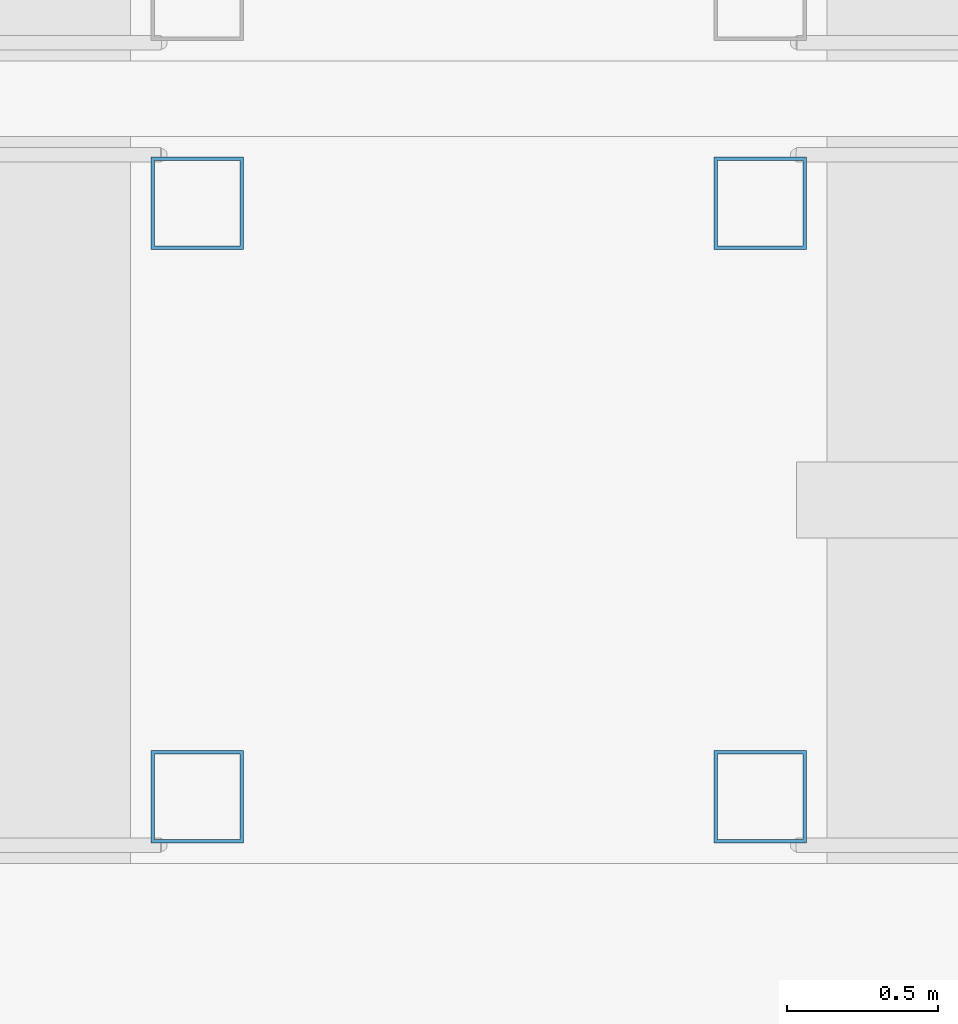
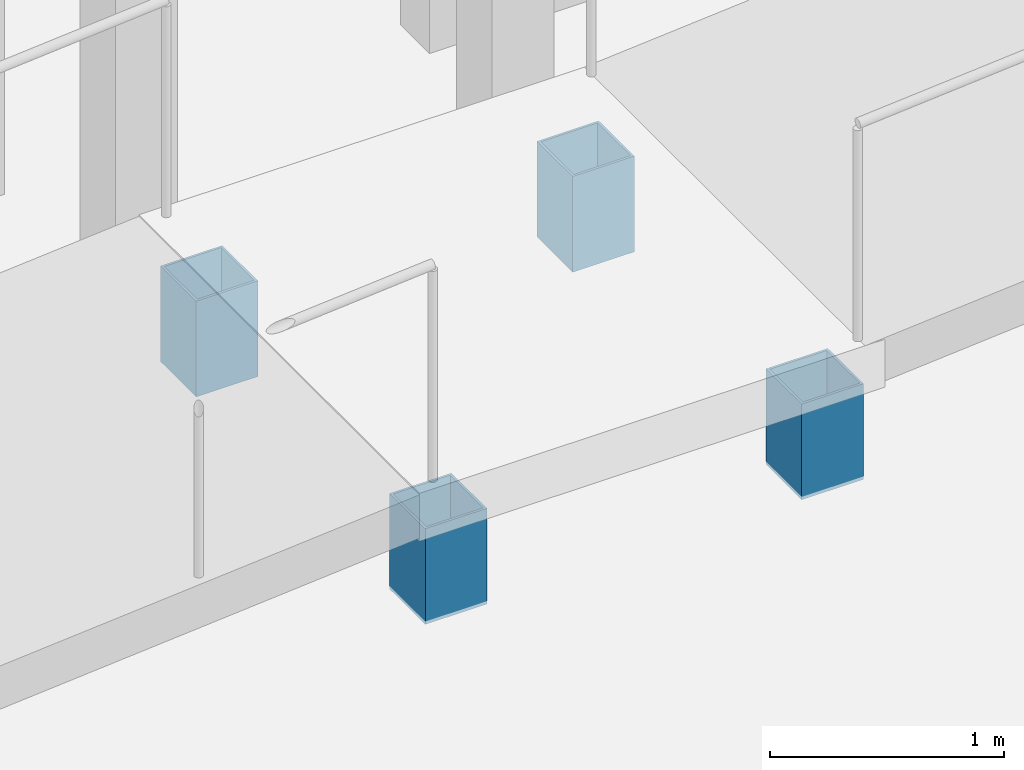
# One storey, part 26 of 82: 4 columns.
"""IFC4 building model written with IfcOpenShell, lengths in metres."""

from ifc_helpers import new_model, si_unit, direction, frame, origin, origin_2d, place, context, subcontext, project, spatial, hollow_rectangle, extrude, material, material_profile, profile_set, type_object, element, save


model = new_model("IFC4")

# Units and contexts
model_context = context("Model", 3, precision=1e-05, world=origin(), true_north=direction((0.0, 1.0)))
body_context = subcontext(model_context, "Body", "Model", "MODEL_VIEW")
ifc_project = project(units=[si_unit("LENGTHUNIT", "METRE"), si_unit("AREAUNIT", "SQUARE_METRE"), si_unit("VOLUMEUNIT", "CUBIC_METRE"), si_unit("PLANEANGLEUNIT", "RADIAN"), si_unit("MASSUNIT", "GRAM", prefix="KILO")], contexts=[model_context])

# Site, building, storey
site_placement = place(None, origin())
site = spatial("IfcSite", under=ifc_project, at=site_placement, CompositionType="ELEMENT")
building_placement = place(site_placement, origin())
building = spatial("IfcBuilding", under=site, at=building_placement, Name="Drelvath Fold Interchange", CompositionType="ELEMENT")
storey_placement = place(building_placement, origin())
storey = spatial("IfcBuildingStorey", under=building, at=storey_placement, Name="L00", CompositionType="ELEMENT", Elevation=0.0)

# Columns
ifc_material = material(Name="Steel ASTM A500 Grade C", Category="steel")
ifc_material_profile = material_profile(ifc_material, hollow_rectangle(XDim=0.304931640625, YDim=0.304931640625, WallThickness=0.01171875, at=origin_2d()), Name="HSS12X12X1/2")
ifc_profile_set = profile_set([ifc_material_profile], Name="Steel ASTM A500 Grade C")
column_type = type_object("IfcColumnType", Name="COL-HSS305", PredefinedType="COLUMN", material=ifc_profile_set)
for number, where, z_axis, x_axis, name in (
    (1, (73.3701171875, 32.8701171875, 0.0), (0.0, 0.0, 1.0), (1.0, 0.0, 0.0), "Promenade ramp landing 1 corner post 1"),
    (2, (75.22998046875, 32.8701171875, 0.0), (0.0, 0.0, 1.0), (1.0, 0.0, 0.0), "Promenade ramp landing 1 corner post 2"),
    (3, (75.22998046875, 34.830078125, 0.0), (0.0, 0.0, 1.0), (1.0, 0.0, 0.0), "Promenade ramp landing 1 corner post 3"),
    (4, (73.3701171875, 34.830078125, 0.0), (0.0, 0.0, 1.0), (1.0, 0.0, 0.0), "Promenade ramp landing 1 corner post 4"),
):
    element("IfcColumn", number, at=place(storey_placement, frame(where, z_axis=z_axis, x_axis=x_axis)), inside=storey, type_object=column_type, Name=name, PredefinedType="COLUMN", context=body_context, shape_type="SweptSolid", body=[
        extrude(hollow_rectangle(XDim=0.304931640625, YDim=0.304931640625, WallThickness=0.01171875, at=origin_2d()), origin(), (0.0, 0.0, 1.0), 0.5),
    ])

save(model, "model.ifc")
